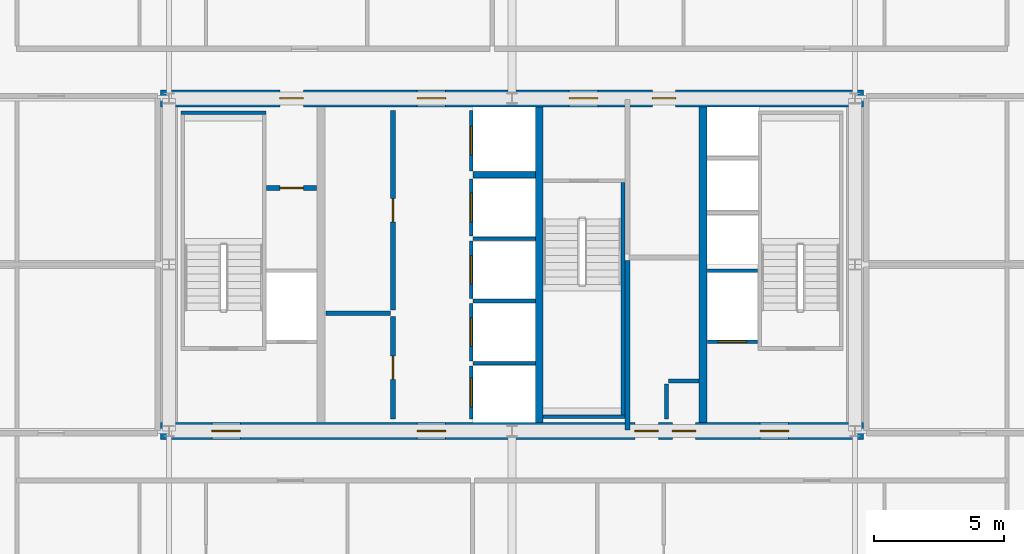
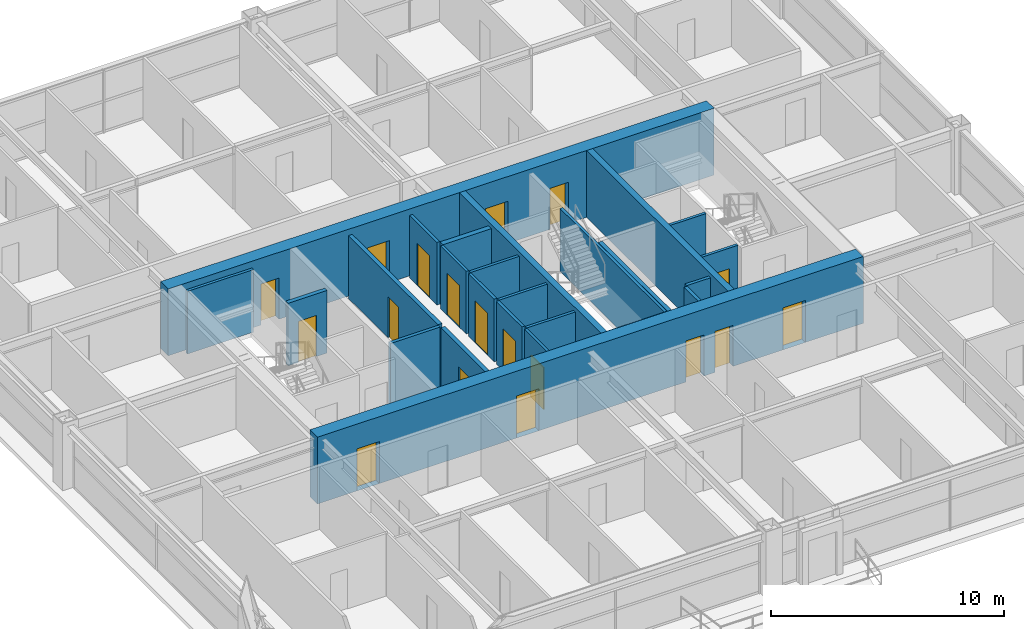
# One storey, part 41 of 45: 25 walls, 18 doors, 18 openings.
"""IFC4 building model written with IfcOpenShell, lengths in metres."""

from ifc_helpers import new_model, si_unit, direction, frame, frame_2d, origin, place, context, subcontext, project, spatial, rectangle, extrude, source, transform, mapped, material, layer, layer_set, type_object, element, fill, save


model = new_model("IFC4")

# Units and contexts
model_context = context("Model", 3, precision=1e-05, world=origin(), true_north=direction((0.0, 1.0)))
body_context = subcontext(model_context, "Body", "Model", "MODEL_VIEW")
ifc_project = project(units=[si_unit("LENGTHUNIT", "METRE"), si_unit("AREAUNIT", "SQUARE_METRE"), si_unit("VOLUMEUNIT", "CUBIC_METRE"), si_unit("PLANEANGLEUNIT", "RADIAN"), si_unit("MASSUNIT", "GRAM", prefix="KILO"), si_unit("THERMODYNAMICTEMPERATUREUNIT", "KELVIN"), si_unit("POWERUNIT", "WATT")], contexts=[model_context])

# Site, building, storey
site_placement = place(None, origin())
site = spatial("IfcSite", under=ifc_project, at=site_placement, CompositionType="ELEMENT")
building_placement = place(site_placement, origin())
building = spatial("IfcBuilding", under=site, at=building_placement, Name="Yuzanri Waterfront Tower", CompositionType="ELEMENT")
storey_placement = place(building_placement, frame((0.0, 0.0, 212.5)))
storey = spatial("IfcBuildingStorey", under=building, at=storey_placement, Name="L56", CompositionType="ELEMENT", Elevation=212.5)

# Wall, openings, doors
ifc_material_1 = material(Name="Concrete C50", Category="concrete")
ifc_layer_1 = layer(ifc_material_1, 0.64990234375)
ifc_layer_set_1 = layer_set([ifc_layer_1], Name="Concrete C50")
wall_type_1 = type_object("IfcWallType", Name="Concrete C50 Mid Zone Core Shear Wall 650", PredefinedType="SHEAR", material=ifc_layer_set_1)
wall_1_placement = place(storey_placement, frame((23.47509765625, 19.39990234375, 0.0), z_axis=(0.0, 0.0, 1.0), x_axis=(1.0, 0.0, 0.0)))
wall_1 = element("IfcWall", 1, at=wall_1_placement, inside=storey, type_object=wall_type_1, Name="L56 Core South Shear Wall", PredefinedType="SHEAR", context=body_context, shape_type="SweptSolid", body=[
    extrude(rectangle(XDim=27.0498046875, YDim=0.64990234375, at=frame_2d((13.52490234375, 0.0))), origin(), (0.0, 0.0, 1.0), 3.5),
])
opening_1_placement = place(wall_1_placement, frame((1.97509765625, 0.0, 0.0)))
opening_1 = element("IfcOpeningElement", 2, at=opening_1_placement, cuts=wall_1, Name="Opening FD-1100", PredefinedType="OPENING", context=body_context, shape_type="SweptSolid", body=[
    extrude(rectangle(XDim=1.10009765625, YDim=2.199951171875, at=frame_2d((0.550048828125, 1.10009765625))), frame((0.0, 0.33984375, 0.0), z_axis=(0.0, -1.0, 0.0), x_axis=(1.0, 0.0, 0.0)), (0.0, 0.0, 1.0), 0.6796875),
])
opening_2_placement = place(wall_1_placement, frame((9.875, 0.0, 0.0)))
opening_2 = element("IfcOpeningElement", 3, at=opening_2_placement, cuts=wall_1, Name="Opening FD-1100", PredefinedType="OPENING", context=body_context, shape_type="SweptSolid", body=[
    extrude(rectangle(XDim=1.10009765625, YDim=2.199951171875, at=frame_2d((0.550048828125, 1.10009765625))), frame((0.0, 0.33984375, 0.0), z_axis=(0.0, -1.0, 0.0), x_axis=(1.0, 0.0, 0.0)), (0.0, 0.0, 1.0), 0.6796875),
])
opening_3_placement = place(wall_1_placement, frame((23.074951171875, 0.0, 0.0)))
opening_3 = element("IfcOpeningElement", 4, at=opening_3_placement, cuts=wall_1, Name="Opening FD-1100", PredefinedType="OPENING", context=body_context, shape_type="SweptSolid", body=[
    extrude(rectangle(XDim=1.10009765625, YDim=2.199951171875, at=frame_2d((0.550048828125, 1.10009765625))), frame((0.0, 0.33984375, 0.0), z_axis=(0.0, -1.0, 0.0), x_axis=(1.0, 0.0, 0.0)), (0.0, 0.0, 1.0), 0.6796875),
])
opening_4_placement = place(wall_1_placement, frame((19.695068359375, 0.0, 0.0)))
opening_4 = element("IfcOpeningElement", 5, at=opening_4_placement, cuts=wall_1, Name="Opening FD-0900", PredefinedType="OPENING", context=body_context, shape_type="SweptSolid", body=[
    extrude(rectangle(XDim=0.89990234375, YDim=2.14990234375, at=frame_2d((0.449951171875, 1.074951171875))), frame((0.0, 0.33984375, 0.0), z_axis=(0.0, -1.0, 0.0), x_axis=(1.0, 0.0, 0.0)), (0.0, 0.0, 1.0), 0.6796875),
])
opening_5_placement = place(wall_1_placement, frame((18.2548828125, 0.0, 0.0)))
opening_5 = element("IfcOpeningElement", 6, at=opening_5_placement, cuts=wall_1, Name="Opening FD-0900", PredefinedType="OPENING", context=body_context, shape_type="SweptSolid", body=[
    extrude(rectangle(XDim=0.89990234375, YDim=2.14990234375, at=frame_2d((0.449951171875, 1.074951171875))), frame((0.0, 0.33984375, 0.0), z_axis=(0.0, -1.0, 0.0), x_axis=(1.0, 0.0, 0.0)), (0.0, 0.0, 1.0), 0.6796875),
])
ifc_material_2 = material(Name="Painted Galvanized Fire Steel", Category="steel")
door_type_1 = type_object("IfcDoorType", Name="Smoke-Proof Stair and Lobby Fire Door 1100x2200", OperationType="NOTDEFINED", PredefinedType="DOOR", material=ifc_material_2)
shared_shape_1 = source(origin(), body_context, "Body", "SweptSolid", [
    extrude(rectangle(XDim=1.10009765625, YDim=2.199951171875, at=frame_2d((0.550048828125, 1.10009765625))), frame((0.0, 0.02490234375, 0.0), z_axis=(0.0, -1.0, 0.0), x_axis=(1.0, 0.0, 0.0)), (0.0, 0.0, 1.0), 0.050048828125),
])
door_1_placement = place(opening_1_placement, origin())
door_1 = element("IfcDoor", 7, at=door_1_placement, inside=storey, type_object=door_type_1, Name="L56 West Firefighting Lobby Door", OperationType="SINGLE_SWING_RIGHT", OverallHeight=2.199951171875, OverallWidth=1.10009765625, PredefinedType="DOOR", context=body_context, shape_type="MappedRepresentation", body=[
    mapped(shared_shape_1, transform((0.0, 0.0, 0.0), scale=1.0)),
])
fill(opening_1, door_1)
door_2_placement = place(opening_2_placement, origin())
door_2 = element("IfcDoor", 8, at=door_2_placement, inside=storey, type_object=door_type_1, Name="L56 Central Lift Lobby South Door", OperationType="SINGLE_SWING_LEFT", OverallHeight=2.199951171875, OverallWidth=1.10009765625, PredefinedType="DOOR", context=body_context, shape_type="MappedRepresentation", body=[
    mapped(shared_shape_1, transform((0.0, 0.0, 0.0), scale=1.0)),
])
fill(opening_2, door_2)
door_3_placement = place(opening_3_placement, origin())
door_3 = element("IfcDoor", 9, at=door_3_placement, inside=storey, type_object=door_type_1, Name="L56 East Firefighting Lobby Door", OperationType="SINGLE_SWING_RIGHT", OverallHeight=2.199951171875, OverallWidth=1.10009765625, PredefinedType="DOOR", context=body_context, shape_type="MappedRepresentation", body=[
    mapped(shared_shape_1, transform((0.0, 0.0, 0.0), scale=1.0)),
])
fill(opening_3, door_3)
ifc_material_3 = material(Name="Painted Galvanized Fire Steel", Category="steel")
door_type_2 = type_object("IfcDoorType", Name="Riser and Service Room Fire Door 900x2150", OperationType="NOTDEFINED", PredefinedType="DOOR", material=ifc_material_3)
shared_shape_2 = source(origin(), body_context, "Body", "SweptSolid", [
    extrude(rectangle(XDim=0.89990234375, YDim=2.14990234375, at=frame_2d((0.449951171875, 1.074951171875))), frame((0.0, 0.02490234375, 0.0), z_axis=(0.0, -1.0, 0.0), x_axis=(1.0, 0.0, 0.0)), (0.0, 0.0, 1.0), 0.050048828125),
])
door_4_placement = place(opening_4_placement, origin())
door_4 = element("IfcDoor", 10, at=door_4_placement, inside=storey, type_object=door_type_2, Name="L56 East Wet Riser Door", OperationType="SINGLE_SWING_LEFT", OverallHeight=2.14990234375, OverallWidth=0.89990234375, PredefinedType="DOOR", context=body_context, shape_type="MappedRepresentation", body=[
    mapped(shared_shape_2, transform((0.0, 0.0, 0.0), scale=1.0)),
])
fill(opening_4, door_4)
door_5_placement = place(opening_5_placement, origin())
door_5 = element("IfcDoor", 11, at=door_5_placement, inside=storey, type_object=door_type_2, Name="L56 Meter and Valve Store Room", OperationType="SINGLE_SWING_RIGHT", OverallHeight=2.14990234375, OverallWidth=0.89990234375, PredefinedType="DOOR", context=body_context, shape_type="MappedRepresentation", body=[
    mapped(shared_shape_2, transform((0.0, 0.0, 0.0), scale=1.0)),
])
fill(opening_5, door_5)

wall_2_placement = place(storey_placement, frame((23.47509765625, 32.199951171875, 0.0), z_axis=(0.0, 0.0, 1.0), x_axis=(1.0, 0.0, 0.0)))
wall_2 = element("IfcWall", 12, at=wall_2_placement, inside=storey, type_object=wall_type_1, Name="L56 Core North Shear Wall", PredefinedType="SHEAR", context=body_context, shape_type="SweptSolid", body=[
    extrude(rectangle(XDim=27.0498046875, YDim=0.64990234375, at=frame_2d((13.52490234375, 0.0))), origin(), (0.0, 0.0, 1.0), 3.5),
])
opening_6_placement = place(wall_2_placement, frame((4.594970703125, 0.0, 0.0)))
opening_6 = element("IfcOpeningElement", 13, at=opening_6_placement, cuts=wall_2, Name="Opening FD-0900", PredefinedType="OPENING", context=body_context, shape_type="SweptSolid", body=[
    extrude(rectangle(XDim=0.89990234375, YDim=2.14990234375, at=frame_2d((0.449951171875, 1.074951171875))), frame((0.0, 0.33984375, 0.0), z_axis=(0.0, -1.0, 0.0), x_axis=(1.0, 0.0, 0.0)), (0.0, 0.0, 1.0), 0.6796875),
])
opening_7_placement = place(wall_2_placement, frame((9.875, 0.0, 0.0)))
opening_7 = element("IfcOpeningElement", 14, at=opening_7_placement, cuts=wall_2, Name="Opening FD-1100", PredefinedType="OPENING", context=body_context, shape_type="SweptSolid", body=[
    extrude(rectangle(XDim=1.10009765625, YDim=2.199951171875, at=frame_2d((0.550048828125, 1.10009765625))), frame((0.0, 0.33984375, 0.0), z_axis=(0.0, -1.0, 0.0), x_axis=(1.0, 0.0, 0.0)), (0.0, 0.0, 1.0), 0.6796875),
])
opening_8_placement = place(wall_2_placement, frame((15.72509765625, 0.0, 0.0)))
opening_8 = element("IfcOpeningElement", 15, at=opening_8_placement, cuts=wall_2, Name="Opening FD-1100", PredefinedType="OPENING", context=body_context, shape_type="SweptSolid", body=[
    extrude(rectangle(XDim=1.10009765625, YDim=2.199951171875, at=frame_2d((0.550048828125, 1.10009765625))), frame((0.0, 0.33984375, 0.0), z_axis=(0.0, -1.0, 0.0), x_axis=(1.0, 0.0, 0.0)), (0.0, 0.0, 1.0), 0.6796875),
])
opening_9_placement = place(wall_2_placement, frame((18.925048828125, 0.0, 0.0)))
opening_9 = element("IfcOpeningElement", 16, at=opening_9_placement, cuts=wall_2, Name="Opening FD-0900", PredefinedType="OPENING", context=body_context, shape_type="SweptSolid", body=[
    extrude(rectangle(XDim=0.89990234375, YDim=2.14990234375, at=frame_2d((0.449951171875, 1.074951171875))), frame((0.0, 0.33984375, 0.0), z_axis=(0.0, -1.0, 0.0), x_axis=(1.0, 0.0, 0.0)), (0.0, 0.0, 1.0), 0.6796875),
])
door_6_placement = place(opening_7_placement, origin())
door_6 = element("IfcDoor", 17, at=door_6_placement, inside=storey, type_object=door_type_1, Name="L56 Central Lift Lobby North Door", OperationType="SINGLE_SWING_RIGHT", OverallHeight=2.199951171875, OverallWidth=1.10009765625, PredefinedType="DOOR", context=body_context, shape_type="MappedRepresentation", body=[
    mapped(shared_shape_1, transform((0.0, 0.0, 0.0), scale=1.0)),
])
fill(opening_7, door_6)
door_7_placement = place(opening_8_placement, origin())
door_7 = element("IfcDoor", 18, at=door_7_placement, inside=storey, type_object=door_type_1, Name="L56 North Stair Lobby Door", OperationType="SINGLE_SWING_LEFT", OverallHeight=2.199951171875, OverallWidth=1.10009765625, PredefinedType="DOOR", context=body_context, shape_type="MappedRepresentation", body=[
    mapped(shared_shape_1, transform((0.0, 0.0, 0.0), scale=1.0)),
])
fill(opening_8, door_7)
door_8_placement = place(opening_6_placement, origin())
door_8 = element("IfcDoor", 19, at=door_8_placement, inside=storey, type_object=door_type_2, Name="L56 Telecom Riser Door", OperationType="SINGLE_SWING_LEFT", OverallHeight=2.14990234375, OverallWidth=0.89990234375, PredefinedType="DOOR", context=body_context, shape_type="MappedRepresentation", body=[
    mapped(shared_shape_2, transform((0.0, 0.0, 0.0), scale=1.0)),
])
fill(opening_6, door_8)
door_9_placement = place(opening_9_placement, origin())
door_9 = element("IfcDoor", 20, at=door_9_placement, inside=storey, type_object=door_type_2, Name="L56 Cleaners Store Room", OperationType="SINGLE_SWING_LEFT", OverallHeight=2.14990234375, OverallWidth=0.89990234375, PredefinedType="DOOR", context=body_context, shape_type="MappedRepresentation", body=[
    mapped(shared_shape_2, transform((0.0, 0.0, 0.0), scale=1.0)),
])
fill(opening_9, door_9)

# Wall, opening, door
ifc_material_4 = material(Name="Concrete C40", Category="concrete")
ifc_layer_2 = layer(ifc_material_4, 0.139892578125)
ifc_layer_set_2 = layer_set([ifc_layer_2], Name="Concrete C40")
wall_type_2 = type_object("IfcWallType", Name="Core Stair Liner and Hoistway Shaft Wall 140", PredefinedType="SOLIDWALL", material=ifc_layer_set_2)
wall_3_placement = place(storey_placement, frame((44.52001953125, 22.830078125, 0.0), z_axis=(0.0, 0.0, 1.0), x_axis=(1.0, 0.0, 0.0)))
wall_3 = element("IfcWall", 21, at=wall_3_placement, inside=storey, type_object=wall_type_2, Name="L56 Lift FL-02 Front Shaft Wall", PredefinedType="SOLIDWALL", context=body_context, shape_type="SweptSolid", body=[
    extrude(rectangle(XDim=1.919921875, YDim=0.139892578125, at=frame_2d((0.9599609375, 0.0))), origin(), (0.0, 0.0, 1.0), 3.280029296875),
])
opening_10_placement = place(wall_3_placement, frame((0.409912109375, 0.0, 0.0)))
opening_10 = element("IfcOpeningElement", 22, at=opening_10_placement, cuts=wall_3, Name="Opening LD-FL-02", PredefinedType="OPENING", context=body_context, shape_type="SweptSolid", body=[
    extrude(rectangle(XDim=1.10009765625, YDim=2.199951171875, at=frame_2d((0.550048828125, 1.10009765625))), frame((0.0, 0.0849609375, 0.0), z_axis=(0.0, -1.0, 0.0), x_axis=(1.0, 0.0, 0.0)), (0.0, 0.0, 1.0), 0.169677734375),
])
ifc_material_5 = material(Name="Brushed Bronze and Stainless Steel Cab", Category="steel")
door_type_3 = type_object("IfcDoorType", Name="Center-Parting Bronze Lift Landing Sliding Door 1100x2200", OperationType="NOTDEFINED", PredefinedType="DOOR", material=ifc_material_5)
shared_shape_3 = source(origin(), body_context, "Body", "SweptSolid", [
    extrude(rectangle(XDim=1.10009765625, YDim=2.199951171875, at=frame_2d((0.550048828125, 1.10009765625))), frame((0.0, 0.02490234375, 0.0), z_axis=(0.0, -1.0, 0.0), x_axis=(1.0, 0.0, 0.0)), (0.0, 0.0, 1.0), 0.050048828125),
])
door_10_placement = place(opening_10_placement, origin())
door_10 = element("IfcDoor", 23, at=door_10_placement, inside=storey, type_object=door_type_3, Name="L56 FL-02 Lift Landing Sliding Door", OperationType="SLIDING_TO_RIGHT", OverallHeight=2.199951171875, OverallWidth=1.10009765625, PredefinedType="DOOR", context=body_context, shape_type="MappedRepresentation", body=[
    mapped(shared_shape_3, transform((0.0, 0.0, 0.0), scale=1.0)),
])
fill(opening_10, door_10)

wall_4_placement = place(storey_placement, frame((35.429931640625, 19.860107421875, 0.0), z_axis=(0.0, 0.0, 1.0), x_axis=(0.0, 1.0, 0.0)))
wall_4 = element("IfcWall", 24, at=wall_4_placement, inside=storey, type_object=wall_type_2, Name="L56 Lift PL-05 Front Shaft Wall", PredefinedType="SOLIDWALL", context=body_context, shape_type="SweptSolid", body=[
    extrude(rectangle(XDim=2.039794921875, YDim=0.139892578125, at=frame_2d((1.02001953125, 0.0))), origin(), (0.0, 0.0, 1.0), 3.280029296875),
])
opening_11_placement = place(wall_4_placement, frame((0.469970703125, 0.0, 0.0)))
opening_11 = element("IfcOpeningElement", 25, at=opening_11_placement, cuts=wall_4, Name="Opening LD-PL-05", PredefinedType="OPENING", context=body_context, shape_type="SweptSolid", body=[
    extrude(rectangle(XDim=1.10009765625, YDim=2.199951171875, at=frame_2d((0.550048828125, 1.10009765625))), frame((0.0, 0.0849609375, 0.0), z_axis=(0.0, -1.0, 0.0), x_axis=(1.0, 0.0, 0.0)), (0.0, 0.0, 1.0), 0.169677734375),
])
door_11_placement = place(opening_11_placement, origin())
door_11 = element("IfcDoor", 26, at=door_11_placement, inside=storey, type_object=door_type_3, Name="L56 PL-05 Lift Landing Sliding Door", OperationType="SLIDING_TO_RIGHT", OverallHeight=2.199951171875, OverallWidth=1.10009765625, PredefinedType="DOOR", context=body_context, shape_type="MappedRepresentation", body=[
    mapped(shared_shape_3, transform((0.0, 0.0, 0.0), scale=1.0)),
])
fill(opening_11, door_11)

wall_5_placement = place(storey_placement, frame((35.429931640625, 22.10009765625, 0.0), z_axis=(0.0, 0.0, 1.0), x_axis=(0.0, 1.0, 0.0)))
wall_5 = element("IfcWall", 27, at=wall_5_placement, inside=storey, type_object=wall_type_2, Name="L56 Lift PL-06 Front Shaft Wall", PredefinedType="SOLIDWALL", context=body_context, shape_type="SweptSolid", body=[
    extrude(rectangle(XDim=2.199951171875, YDim=0.139892578125, at=frame_2d((1.10009765625, 0.0))), origin(), (0.0, 0.0, 1.0), 3.280029296875),
])
opening_12_placement = place(wall_5_placement, frame((0.550048828125, 0.0, 0.0)))
opening_12 = element("IfcOpeningElement", 28, at=opening_12_placement, cuts=wall_5, Name="Opening LD-PL-06", PredefinedType="OPENING", context=body_context, shape_type="SweptSolid", body=[
    extrude(rectangle(XDim=1.10009765625, YDim=2.199951171875, at=frame_2d((0.550048828125, 1.10009765625))), frame((0.0, 0.0849609375, 0.0), z_axis=(0.0, -1.0, 0.0), x_axis=(1.0, 0.0, 0.0)), (0.0, 0.0, 1.0), 0.169677734375),
])
door_12_placement = place(opening_12_placement, origin())
door_12 = element("IfcDoor", 29, at=door_12_placement, inside=storey, type_object=door_type_3, Name="L56 PL-06 Lift Landing Sliding Door", OperationType="SLIDING_TO_LEFT", OverallHeight=2.199951171875, OverallWidth=1.10009765625, PredefinedType="DOOR", context=body_context, shape_type="MappedRepresentation", body=[
    mapped(shared_shape_3, transform((0.0, 0.0, 0.0), scale=1.0)),
])
fill(opening_12, door_12)

wall_6_placement = place(storey_placement, frame((35.429931640625, 24.5, 0.0), z_axis=(0.0, 0.0, 1.0), x_axis=(0.0, 1.0, 0.0)))
wall_6 = element("IfcWall", 30, at=wall_6_placement, inside=storey, type_object=wall_type_2, Name="L56 Lift PL-07 Front Shaft Wall", PredefinedType="SOLIDWALL", context=body_context, shape_type="SweptSolid", body=[
    extrude(rectangle(XDim=2.199951171875, YDim=0.139892578125, at=frame_2d((1.10009765625, 0.0))), origin(), (0.0, 0.0, 1.0), 3.280029296875),
])
opening_13_placement = place(wall_6_placement, frame((0.550048828125, 0.0, 0.0)))
opening_13 = element("IfcOpeningElement", 31, at=opening_13_placement, cuts=wall_6, Name="Opening LD-PL-07", PredefinedType="OPENING", context=body_context, shape_type="SweptSolid", body=[
    extrude(rectangle(XDim=1.10009765625, YDim=2.199951171875, at=frame_2d((0.550048828125, 1.10009765625))), frame((0.0, 0.0849609375, 0.0), z_axis=(0.0, -1.0, 0.0), x_axis=(1.0, 0.0, 0.0)), (0.0, 0.0, 1.0), 0.169677734375),
])
door_13_placement = place(opening_13_placement, origin())
door_13 = element("IfcDoor", 32, at=door_13_placement, inside=storey, type_object=door_type_3, Name="L56 PL-07 Lift Landing Sliding Door", OperationType="SLIDING_TO_RIGHT", OverallHeight=2.199951171875, OverallWidth=1.10009765625, PredefinedType="DOOR", context=body_context, shape_type="MappedRepresentation", body=[
    mapped(shared_shape_3, transform((0.0, 0.0, 0.0), scale=1.0)),
])
fill(opening_13, door_13)

wall_7_placement = place(storey_placement, frame((35.429931640625, 26.89990234375, 0.0), z_axis=(0.0, 0.0, 1.0), x_axis=(0.0, 1.0, 0.0)))
wall_7 = element("IfcWall", 33, at=wall_7_placement, inside=storey, type_object=wall_type_2, Name="L56 Lift PL-08 Front Shaft Wall", PredefinedType="SOLIDWALL", context=body_context, shape_type="SweptSolid", body=[
    extrude(rectangle(XDim=2.2001953125, YDim=0.139892578125, at=frame_2d((1.10009765625, 0.0))), origin(), (0.0, 0.0, 1.0), 3.280029296875),
])
opening_14_placement = place(wall_7_placement, frame((0.550048828125, 0.0, 0.0)))
opening_14 = element("IfcOpeningElement", 34, at=opening_14_placement, cuts=wall_7, Name="Opening LD-PL-08", PredefinedType="OPENING", context=body_context, shape_type="SweptSolid", body=[
    extrude(rectangle(XDim=1.10009765625, YDim=2.199951171875, at=frame_2d((0.550048828125, 1.10009765625))), frame((0.0, 0.0849609375, 0.0), z_axis=(0.0, -1.0, 0.0), x_axis=(1.0, 0.0, 0.0)), (0.0, 0.0, 1.0), 0.169677734375),
])
door_14_placement = place(opening_14_placement, origin())
door_14 = element("IfcDoor", 35, at=door_14_placement, inside=storey, type_object=door_type_3, Name="L56 PL-08 Lift Landing Sliding Door", OperationType="SLIDING_TO_LEFT", OverallHeight=2.199951171875, OverallWidth=1.10009765625, PredefinedType="DOOR", context=body_context, shape_type="MappedRepresentation", body=[
    mapped(shared_shape_3, transform((0.0, 0.0, 0.0), scale=1.0)),
])
fill(opening_14, door_14)

wall_8_placement = place(storey_placement, frame((35.429931640625, 29.39990234375, 0.0), z_axis=(0.0, 0.0, 1.0), x_axis=(0.0, 1.0, 0.0)))
wall_8 = element("IfcWall", 36, at=wall_8_placement, inside=storey, type_object=wall_type_2, Name="L56 Lift SL-02 Front Shaft Wall", PredefinedType="SOLIDWALL", context=body_context, shape_type="SweptSolid", body=[
    extrude(rectangle(XDim=2.340087890625, YDim=0.139892578125, at=frame_2d((1.169921875, 0.0))), origin(), (0.0, 0.0, 1.0), 3.280029296875),
])
opening_15_placement = place(wall_8_placement, frame((0.6201171875, 0.0, 0.0)))
opening_15 = element("IfcOpeningElement", 37, at=opening_15_placement, cuts=wall_8, Name="Opening LD-SL-02", PredefinedType="OPENING", context=body_context, shape_type="SweptSolid", body=[
    extrude(rectangle(XDim=1.10009765625, YDim=2.199951171875, at=frame_2d((0.550048828125, 1.10009765625))), frame((0.0, 0.0849609375, 0.0), z_axis=(0.0, -1.0, 0.0), x_axis=(1.0, 0.0, 0.0)), (0.0, 0.0, 1.0), 0.169677734375),
])
door_15_placement = place(opening_15_placement, origin())
door_15 = element("IfcDoor", 38, at=door_15_placement, inside=storey, type_object=door_type_3, Name="L56 SL-02 Lift Landing Sliding Door", OperationType="SLIDING_TO_RIGHT", OverallHeight=2.199951171875, OverallWidth=1.10009765625, PredefinedType="DOOR", context=body_context, shape_type="MappedRepresentation", body=[
    mapped(shared_shape_3, transform((0.0, 0.0, 0.0), scale=1.0)),
])
fill(opening_15, door_15)

ifc_material_6 = material(Name="Autoclaved Aerated Concrete Blockwork", Category="masonry")
ifc_layer_3 = layer(ifc_material_6, 0.199951171875)
ifc_layer_set_3 = layer_set([ifc_layer_3], Name="Autoclaved Aerated Concrete Blockwork")
wall_type_3 = type_object("IfcWallType", Name="Corridor and Unit Party Fire Wall 200", PredefinedType="PARTITIONING", material=ifc_layer_set_3)
wall_9_placement = place(storey_placement, frame((27.56005859375, 28.75, 0.0), z_axis=(0.0, 0.0, 1.0), x_axis=(1.0, 0.0, 0.0)))
wall_9 = element("IfcWall", 39, at=wall_9_placement, inside=storey, type_object=wall_type_3, Name="L56 Partition CRW-L56-ERTR", PredefinedType="PARTITIONING", context=body_context, shape_type="SweptSolid", body=[
    extrude(rectangle(XDim=1.919921875, YDim=0.199951171875, at=frame_2d((0.9599609375, 0.0))), origin(), (0.0, 0.0, 1.0), 3.280029296875),
])
opening_16_placement = place(wall_9_placement, frame((0.510009765625, 0.0, 0.0)))
opening_16 = element("IfcOpeningElement", 40, at=opening_16_placement, cuts=wall_9, Name="Opening FD-0900", PredefinedType="OPENING", context=body_context, shape_type="SweptSolid", body=[
    extrude(rectangle(XDim=0.89990234375, YDim=2.14990234375, at=frame_2d((0.449951171875, 1.074951171875))), frame((0.0, 0.11474609375, 0.0), z_axis=(0.0, -1.0, 0.0), x_axis=(1.0, 0.0, 0.0)), (0.0, 0.0, 1.0), 0.229736328125),
])
door_16_placement = place(opening_16_placement, origin())
door_16 = element("IfcDoor", 41, at=door_16_placement, inside=storey, type_object=door_type_2, Name="L56 Electrical Riser Door", OperationType="SINGLE_SWING_RIGHT", OverallHeight=2.14990234375, OverallWidth=0.89990234375, PredefinedType="DOOR", context=body_context, shape_type="MappedRepresentation", body=[
    mapped(shared_shape_2, transform((0.0, 0.0, 0.0), scale=1.0)),
])
fill(opening_16, door_16)

wall_10_placement = place(storey_placement, frame((32.419921875, 19.860107421875, 0.0), z_axis=(0.0, 0.0, 1.0), x_axis=(0.0, 1.0, 0.0)))
wall_10 = element("IfcWall", 42, at=wall_10_placement, inside=storey, type_object=wall_type_3, Name="L56 Partition CRW-L56-B1R-1", PredefinedType="PARTITIONING", context=body_context, shape_type="SweptSolid", body=[
    extrude(rectangle(XDim=3.93994140625, YDim=0.199951171875, at=frame_2d((1.969970703125, 0.0))), origin(), (0.0, 0.0, 1.0), 3.280029296875),
])
opening_17_placement = place(wall_10_placement, frame((1.52001953125, 0.0, 0.0)))
opening_17 = element("IfcOpeningElement", 43, at=opening_17_placement, cuts=wall_10, Name="Opening FD-0900", PredefinedType="OPENING", context=body_context, shape_type="SweptSolid", body=[
    extrude(rectangle(XDim=0.89990234375, YDim=2.14990234375, at=frame_2d((0.449951171875, 1.074951171875))), frame((0.0, 0.11474609375, 0.0), z_axis=(0.0, -1.0, 0.0), x_axis=(1.0, 0.0, 0.0)), (0.0, 0.0, 1.0), 0.229736328125),
])
door_17_placement = place(opening_17_placement, origin())
door_17 = element("IfcDoor", 44, at=door_17_placement, inside=storey, type_object=door_type_2, Name="L56 Janitor Supply Store Room", OperationType="SINGLE_SWING_LEFT", OverallHeight=2.14990234375, OverallWidth=0.89990234375, PredefinedType="DOOR", context=body_context, shape_type="MappedRepresentation", body=[
    mapped(shared_shape_2, transform((0.0, 0.0, 0.0), scale=1.0)),
])
fill(opening_17, door_17)

wall_11_placement = place(storey_placement, frame((32.419921875, 24.050048828125, 0.0), z_axis=(0.0, 0.0, 1.0), x_axis=(0.0, 1.0, 0.0)))
wall_11 = element("IfcWall", 45, at=wall_11_placement, inside=storey, type_object=wall_type_3, Name="L56 Partition CRW-L56-B1R-2", PredefinedType="PARTITIONING", context=body_context, shape_type="SweptSolid", body=[
    extrude(rectangle(XDim=7.68994140625, YDim=0.199951171875, at=frame_2d((3.844970703125, 0.0))), origin(), (0.0, 0.0, 1.0), 3.280029296875),
])
opening_18_placement = place(wall_11_placement, frame((3.39501953125, 0.0, 0.0)))
opening_18 = element("IfcOpeningElement", 46, at=opening_18_placement, cuts=wall_11, Name="Opening FD-0900", PredefinedType="OPENING", context=body_context, shape_type="SweptSolid", body=[
    extrude(rectangle(XDim=0.89990234375, YDim=2.14990234375, at=frame_2d((0.449951171875, 1.074951171875))), frame((0.0, 0.11474609375, 0.0), z_axis=(0.0, -1.0, 0.0), x_axis=(1.0, 0.0, 0.0)), (0.0, 0.0, 1.0), 0.229736328125),
])
door_18_placement = place(opening_18_placement, origin())
door_18 = element("IfcDoor", 47, at=door_18_placement, inside=storey, type_object=door_type_2, Name="L56 Common Store Room", OperationType="SINGLE_SWING_RIGHT", OverallHeight=2.14990234375, OverallWidth=0.89990234375, PredefinedType="DOOR", context=body_context, shape_type="MappedRepresentation", body=[
    mapped(shared_shape_2, transform((0.0, 0.0, 0.0), scale=1.0)),
])
fill(opening_18, door_18)

# Walls
ifc_material_7 = material(Name="Concrete C50", Category="concrete")
ifc_layer_4 = layer(ifc_material_7, 0.300048828125)
ifc_layer_set_4 = layer_set([ifc_layer_4], Name="Concrete C50")
wall_type_4 = type_object("IfcWallType", Name="Concrete C50 Internal Core Shaft Structural Wall 300", PredefinedType="SOLIDWALL", material=ifc_layer_set_4)
shared_shape_4 = source(origin(), body_context, "Body", "SweptSolid", [
    extrude(rectangle(XDim=12.14990234375, YDim=0.300048828125, at=frame_2d((6.074951171875, 0.0))), origin(), (0.0, 0.0, 1.0), 3.5),
])
for number, where, z_axis, x_axis, name in (
    (48, (38.050048828125, 19.72509765625, 0.0), (0.0, 0.0, 1.0), (0.0, 1.0, 0.0), "L56 Core Internal Structural Web Wall 2"),
    (49, (44.35009765625, 19.72509765625, 0.0), (0.0, 0.0, 1.0), (0.0, 1.0, 0.0), "L56 Core Internal Structural Web Wall 3"),
):
    element("IfcWall", number, at=place(storey_placement, frame(where, z_axis=z_axis, x_axis=x_axis)), inside=storey, type_object=wall_type_4, Name=name, PredefinedType="SOLIDWALL", context=body_context, shape_type="MappedRepresentation", body=[
        mapped(shared_shape_4, transform((0.0, 0.0, 0.0), scale=1.0)),
    ])
shared_shape_5 = source(origin(), body_context, "Body", "SweptSolid", [
    extrude(rectangle(XDim=1.919921875, YDim=0.139892578125, at=frame_2d((0.9599609375, 0.0))), origin(), (0.0, 0.0, 1.0), 3.280029296875),
])
wall_12_placement = place(storey_placement, frame((44.52001953125, 25.570068359375, 0.0), z_axis=(0.0, 0.0, 1.0), x_axis=(1.0, 0.0, 0.0)))
element("IfcWall", 50, at=wall_12_placement, inside=storey, type_object=wall_type_2, Name="L56 Lift FL-02 Back Shaft Wall", PredefinedType="SOLIDWALL", context=body_context, shape_type="MappedRepresentation", body=[
    mapped(shared_shape_5, transform((0.0, 0.0, 0.0), scale=1.0)),
])
shared_shape_6 = source(origin(), body_context, "Body", "SweptSolid", [
    extrude(rectangle(XDim=2.39990234375, YDim=0.139892578125, at=frame_2d((1.199951171875, 0.0))), origin(), (0.0, 0.0, 1.0), 3.280029296875),
])
for number, where, z_axis, x_axis, name in (
    (51, (35.5, 22.0, 0.0), (0.0, 0.0, 1.0), (1.0, 0.0, 0.0), "L56 Lift PL-05 Divider Wall"),
    (52, (35.5, 24.39990234375, 0.0), (0.0, 0.0, 1.0), (1.0, 0.0, 0.0), "L56 Lift PL-06 Divider Wall"),
    (53, (35.5, 26.800048828125, 0.0), (0.0, 0.0, 1.0), (1.0, 0.0, 0.0), "L56 Lift PL-07 Divider Wall"),
):
    element("IfcWall", number, at=place(storey_placement, frame(where, z_axis=z_axis, x_axis=x_axis)), inside=storey, type_object=wall_type_2, Name=name, PredefinedType="SOLIDWALL", context=body_context, shape_type="MappedRepresentation", body=[
        mapped(shared_shape_6, transform((0.0, 0.0, 0.0), scale=1.0)),
    ])
ifc_material_8 = material(Name="Concrete C40", Category="concrete")
ifc_layer_5 = layer(ifc_material_8, 0.25)
ifc_layer_set_5 = layer_set([ifc_layer_5], Name="Concrete C40")
wall_type_5 = type_object("IfcWallType", Name="Smoke-Proof Stair and Lift Shaft Wall 250", PredefinedType="SOLIDWALL", material=ifc_layer_set_5)
shared_shape_7 = source(origin(), body_context, "Body", "SweptSolid", [
    extrude(rectangle(XDim=2.39990234375, YDim=0.25, at=frame_2d((1.199951171875, 0.0))), origin(), (0.0, 0.0, 1.0), 3.280029296875),
])
wall_13_placement = place(storey_placement, frame((35.5, 29.25, 0.0), z_axis=(0.0, 0.0, 1.0), x_axis=(1.0, 0.0, 0.0)))
element("IfcWall", 54, at=wall_13_placement, inside=storey, type_object=wall_type_5, Name="L56 Lift SL-02 South Shaft Wall", PredefinedType="SOLIDWALL", context=body_context, shape_type="MappedRepresentation", body=[
    mapped(shared_shape_7, transform((0.0, 0.0, 0.0), scale=1.0)),
])
shared_shape_8 = source(origin(), body_context, "Body", "SweptSolid", [
    extrude(rectangle(XDim=3.280029296875, YDim=0.139892578125, at=frame_2d((1.64013671875, 0.0))), origin(), (0.0, 0.0, 1.0), 3.280029296875),
])
wall_14_placement = place(storey_placement, frame((24.260009765625, 31.64990234375, 0.0), z_axis=(0.0, 0.0, 1.0), x_axis=(1.0, 0.0, 0.0)))
element("IfcWall", 55, at=wall_14_placement, inside=storey, type_object=wall_type_2, Name="L56 Stair ST-01 North Shaft Wall", PredefinedType="SOLIDWALL", context=body_context, shape_type="MappedRepresentation", body=[
    mapped(shared_shape_8, transform((0.0, 0.0, 0.0), scale=1.0)),
])
shared_shape_9 = source(origin(), body_context, "Body", "SweptSolid", [
    extrude(rectangle(XDim=3.14013671875, YDim=0.139892578125, at=frame_2d((1.570068359375, 0.0))), origin(), (0.0, 0.0, 1.0), 3.280029296875),
])
wall_15_placement = place(storey_placement, frame((38.199951171875, 19.949951171875, 0.0), z_axis=(0.0, 0.0, 1.0), x_axis=(1.0, 0.0, 0.0)))
element("IfcWall", 56, at=wall_15_placement, inside=storey, type_object=wall_type_2, Name="L56 Stair ST-03 South Shaft Wall", PredefinedType="SOLIDWALL", context=body_context, shape_type="MappedRepresentation", body=[
    mapped(shared_shape_9, transform((0.0, 0.0, 0.0), scale=1.0)),
])
shared_shape_10 = source(origin(), body_context, "Body", "SweptSolid", [
    extrude(rectangle(XDim=8.93994140625, YDim=0.139892578125, at=frame_2d((4.469970703125, 0.0))), origin(), (0.0, 0.0, 1.0), 3.280029296875),
])
wall_16_placement = place(storey_placement, frame((41.27001953125, 20.02001953125, 0.0), z_axis=(0.0, 0.0, 1.0), x_axis=(0.0, 1.0, 0.0)))
element("IfcWall", 57, at=wall_16_placement, inside=storey, type_object=wall_type_2, Name="L56 Stair ST-03 East Shaft Wall", PredefinedType="SOLIDWALL", context=body_context, shape_type="MappedRepresentation", body=[
    mapped(shared_shape_10, transform((0.0, 0.0, 0.0), scale=1.0)),
])
ifc_material_9 = material(Name="Gypsum Fireboard Acoustic Stud Wall", Category="gypsum")
ifc_layer_6 = layer(ifc_material_9, 0.159912109375)
ifc_layer_set_6 = layer_set([ifc_layer_6], Name="Gypsum Fireboard Acoustic Stud Wall")
wall_type_6 = type_object("IfcWallType", Name="Acoustic Suite Demising Partition 160", PredefinedType="PARTITIONING", material=ifc_layer_set_6)
shared_shape_11 = source(origin(), body_context, "Body", "SweptSolid", [
    extrude(rectangle(XDim=2.469970703125, YDim=0.159912109375, at=frame_2d((1.23486328125, 0.0))), origin(), (0.0, 0.0, 1.0), 3.280029296875),
])
wall_17_placement = place(storey_placement, frame((29.85009765625, 23.929931640625, 0.0), z_axis=(0.0, 0.0, 1.0), x_axis=(1.0, 0.0, 0.0)))
element("IfcWall", 58, at=wall_17_placement, inside=storey, type_object=wall_type_6, Name="L56 Reclaimed Core Divider 2", PredefinedType="PARTITIONING", context=body_context, shape_type="MappedRepresentation", body=[
    mapped(shared_shape_11, transform((0.0, 0.0, 0.0), scale=1.0)),
])
shared_shape_12 = source(origin(), body_context, "Body", "SweptSolid", [
    extrude(rectangle(XDim=1.33984375, YDim=0.159912109375, at=frame_2d((0.669921875, 0.0))), origin(), (0.0, 0.0, 1.0), 3.280029296875),
])
wall_18_placement = place(storey_placement, frame((42.949951171875, 19.860107421875, 0.0), z_axis=(0.0, 0.0, 1.0), x_axis=(0.0, 1.0, 0.0)))
element("IfcWall", 59, at=wall_18_placement, inside=storey, type_object=wall_type_6, Name="L56 East Wet Riser West Wall", PredefinedType="PARTITIONING", context=body_context, shape_type="MappedRepresentation", body=[
    mapped(shared_shape_12, transform((0.0, 0.0, 0.0), scale=1.0)),
])
shared_shape_13 = source(origin(), body_context, "Body", "SweptSolid", [
    extrude(rectangle(XDim=1.169921875, YDim=0.159912109375, at=frame_2d((0.5849609375, 0.0))), origin(), (0.0, 0.0, 1.0), 3.280029296875),
])
wall_19_placement = place(storey_placement, frame((43.030029296875, 21.320068359375, 0.0), z_axis=(0.0, 0.0, 1.0), x_axis=(1.0, 0.0, 0.0)))
element("IfcWall", 60, at=wall_19_placement, inside=storey, type_object=wall_type_6, Name="L56 East Wet Riser North Wall", PredefinedType="PARTITIONING", context=body_context, shape_type="MappedRepresentation", body=[
    mapped(shared_shape_13, transform((0.0, 0.0, 0.0), scale=1.0)),
])
shared_shape_14 = source(origin(), body_context, "Body", "SweptSolid", [
    extrude(rectangle(XDim=6.510009765625, YDim=0.199951171875, at=frame_2d((3.2548828125, 0.0))), origin(), (0.0, 0.0, 1.0), 3.280029296875),
])
wall_20_placement = place(storey_placement, frame((41.449951171875, 19.43994140625, 0.0), z_axis=(0.0, 0.0, 1.0), x_axis=(0.0, 1.0, 0.0)))
element("IfcWall", 61, at=wall_20_placement, inside=storey, type_object=wall_type_3, Name="L56 Core BOH West Wall 1", PredefinedType="PARTITIONING", context=body_context, shape_type="MappedRepresentation", body=[
    mapped(shared_shape_14, transform((0.0, 0.0, 0.0), scale=1.0)),
])

save(model, "model.ifc")
